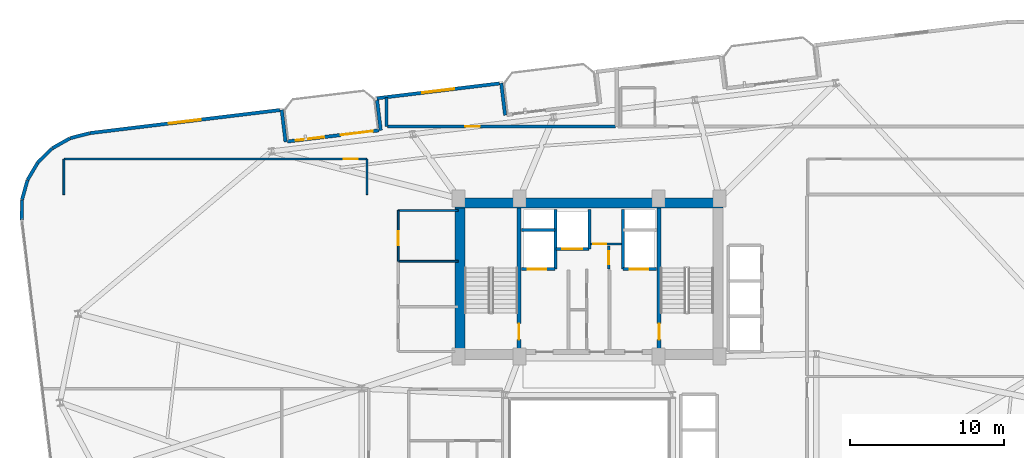
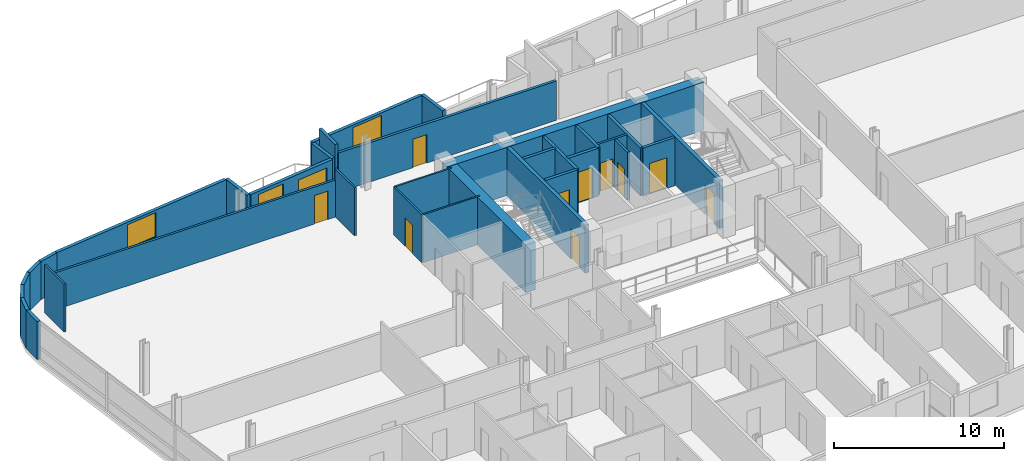
# One storey, part 17 of 23: 33 walls, 11 doors, 3 windows, 14 openings.
"""IFC4 building model written with IfcOpenShell, lengths in metres."""

from ifc_helpers import new_model, si_unit, direction, frame, frame_2d, origin, place, context, subcontext, project, spatial, rectangle, extrude, material, layer, layer_set, type_object, element, fill, save


model = new_model("IFC4")

# Units and contexts
model_context = context("Model", 3, precision=1e-05, world=origin(), true_north=direction((0.0, 1.0)))
body_context = subcontext(model_context, "Body", "Model", "MODEL_VIEW")
ifc_project = project(units=[si_unit("LENGTHUNIT", "METRE"), si_unit("AREAUNIT", "SQUARE_METRE"), si_unit("VOLUMEUNIT", "CUBIC_METRE"), si_unit("PLANEANGLEUNIT", "RADIAN"), si_unit("MASSUNIT", "GRAM", prefix="KILO")], contexts=[model_context])

# Site, building, storey
site_placement = place(None, origin())
site = spatial("IfcSite", under=ifc_project, at=site_placement, CompositionType="ELEMENT")
building_placement = place(site_placement, origin())
building = spatial("IfcBuilding", under=site, at=building_placement, Name="Varnelok Gate Tower", CompositionType="ELEMENT")
storey_placement = place(building_placement, frame((0.0, 0.0, 193.10009765625)))
storey = spatial("IfcBuildingStorey", under=building, at=storey_placement, Name="L49", CompositionType="ELEMENT", Elevation=193.10009765625)

# Wall, openings, door, window
ifc_material_1 = material(Name="Concrete C45/55", Category="concrete")
ifc_layer_1 = layer(ifc_material_1, 0.219970703125)
ifc_layer_set_1 = layer_set([ifc_layer_1], Name="Concrete C45/55")
wall_type_1 = type_object("IfcWallType", Name="EW-BALC-220", PredefinedType="SOLIDWALL", material=ifc_layer_set_1)
wall_1_placement = place(storey_placement, frame((19.556884765625, 42.7529296875, 0.0), z_axis=(0.0, 0.0, 1.0), x_axis=(0.992729951822, 0.120362962556, 0.0)))
wall_1 = element("IfcWall", 1, at=wall_1_placement, inside=storey, type_object=wall_type_1, Name="L49 North Terrace Envelope Wall 4", PredefinedType="SOLIDWALL", context=body_context, shape_type="SweptSolid", body=[
    extrude(rectangle(XDim=6.0, YDim=0.219970703125, at=frame_2d((3.0, 0.0))), origin(), (0.0, 0.0, 1.0), 2.72998046875),
])
opening_1_placement = place(wall_1_placement, frame((3.5, 0.0, 0.0)))
opening_1 = element("IfcOpeningElement", 2, at=opening_1_placement, cuts=wall_1, Name="Opening BD-2", PredefinedType="OPENING", context=body_context, shape_type="SweptSolid", body=[
    extrude(rectangle(XDim=2.10009765625, YDim=2.300048828125, at=frame_2d((1.050048828125, 1.14990234375))), frame((0.0, 0.119873046875, 0.0), z_axis=(0.0, -1.0, 0.0), x_axis=(1.0, 0.0, 0.0)), (0.0, 0.0, 1.0), 0.239990234375),
])
opening_2_placement = place(wall_1_placement, frame((0.550048828125, 0.0, 0.75)))
opening_2 = element("IfcOpeningElement", 3, at=opening_2_placement, cuts=wall_1, Name="Opening WN5", PredefinedType="OPENING", context=body_context, shape_type="SweptSolid", body=[
    extrude(rectangle(XDim=1.85009765625, YDim=1.75, at=frame_2d((0.925048828125, 0.875))), frame((0.0, 0.119873046875, 0.0), z_axis=(0.0, -1.0, 0.0), x_axis=(1.0, 0.0, 0.0)), (0.0, 0.0, 1.0), 0.239990234375),
])
ifc_material_2 = material(Name="Anodized Aluminum Alloy 6063-T6", Category="aluminium")
door_type_1 = type_object("IfcDoorType", Name="DR-EXT-SLID2100", OperationType="SLIDING_TO_LEFT", PredefinedType="DOOR", material=ifc_material_2)
door_1_placement = place(opening_1_placement, origin())
door_1 = element("IfcDoor", 4, at=door_1_placement, inside=storey, type_object=door_type_1, Name="L49 North Balcony Glazed Door 4", OperationType="SLIDING_TO_LEFT", OverallHeight=2.300048828125, OverallWidth=2.10009765625, PredefinedType="DOOR", context=body_context, shape_type="SweptSolid", body=[
    extrude(rectangle(XDim=2.10009765625, YDim=2.300048828125, at=frame_2d((1.050048828125, 1.14990234375))), frame((0.0, 0.02490234375, 0.0), z_axis=(0.0, -1.0, 0.0), x_axis=(1.0, 0.0, 0.0)), (0.0, 0.0, 1.0), 0.050048828125),
])
fill(opening_1, door_1)
ifc_material_3 = material(Name="Low-E Laminated Double Glazing IGU", Category="glass")
window_type_1 = type_object("IfcWindowType", Name="WN-RES-1850", PartitioningType="SINGLE_PANEL", PredefinedType="WINDOW", material=ifc_material_3)
window_1_placement = place(opening_2_placement, origin())
window_1 = element("IfcWindow", 5, at=window_1_placement, inside=storey, type_object=window_type_1, Name="L49 North Vision Window 4.1", OverallHeight=1.75, OverallWidth=1.85009765625, PartitioningType="SINGLE_PANEL", PredefinedType="WINDOW", context=body_context, shape_type="SweptSolid", body=[
    extrude(rectangle(XDim=1.85009765625, YDim=1.75, at=frame_2d((0.925048828125, 0.875))), frame((0.0, 0.030029296875, 0.0), z_axis=(0.0, -1.0, 0.0), x_axis=(1.0, 0.0, 0.0)), (0.0, 0.0, 1.0), 0.06005859375),
])
fill(opening_2, window_1)

# Wall
wall_2_placement = place(storey_placement, frame((33.734375, 44.46142578125, 0.0), z_axis=(0.0, 0.0, 1.0), x_axis=(-0.120327895535, 0.992734202874, 0.0)))
element("IfcWall", 6, at=wall_2_placement, inside=storey, type_object=wall_type_1, Name="L49 Perimeter Facade Closure Wall 34", PredefinedType="SOLIDWALL", context=body_context, shape_type="SweptSolid", body=[
    extrude(rectangle(XDim=2.099853515625, YDim=0.219970703125, at=frame_2d((1.0498046875, 0.0))), origin(), (0.0, 0.0, 1.0), 2.72998046875),
])

# Wall, opening, window
wall_3_placement = place(storey_placement, frame((33.357421875, 46.53125, 0.0), z_axis=(0.0, 0.0, 1.0), x_axis=(-0.992731032022, -0.120354052946, 0.0)))
wall_3 = element("IfcWall", 7, at=wall_3_placement, inside=storey, type_object=wall_type_1, Name="L49 Perimeter Facade Closure Wall 35", PredefinedType="SOLIDWALL", context=body_context, shape_type="SweptSolid", body=[
    extrude(rectangle(XDim=8.034912109375, YDim=0.219970703125, at=frame_2d((4.017578125, 0.0))), origin(), (0.0, 0.0, 1.0), 2.72998046875),
])
opening_3_placement = place(wall_3_placement, frame((2.967529296875, 0.0, 0.800048828125)))
opening_3 = element("IfcOpeningElement", 8, at=opening_3_placement, cuts=wall_3, Name="Opening WN4", PredefinedType="OPENING", context=body_context, shape_type="SweptSolid", body=[
    extrude(rectangle(XDim=2.10009765625, YDim=1.75, at=frame_2d((1.050048828125, 0.875))), frame((0.0, 0.119873046875, 0.0), z_axis=(0.0, -1.0, 0.0), x_axis=(1.0, 0.0, 0.0)), (0.0, 0.0, 1.0), 0.239990234375),
])
window_type_2 = type_object("IfcWindowType", Name="WN-SUI-2100", PartitioningType="SINGLE_PANEL", PredefinedType="WINDOW", material=ifc_material_3)
window_2_placement = place(opening_3_placement, origin())
window_2 = element("IfcWindow", 9, at=window_2_placement, inside=storey, type_object=window_type_2, Name="L49 Perimeter Vision Window 35", OverallHeight=1.75, OverallWidth=2.10009765625, PartitioningType="SINGLE_PANEL", PredefinedType="WINDOW", context=body_context, shape_type="SweptSolid", body=[
    extrude(rectangle(XDim=2.10009765625, YDim=1.75, at=frame_2d((1.050048828125, 0.875))), frame((0.0, 0.030029296875, 0.0), z_axis=(0.0, -1.0, 0.0), x_axis=(1.0, 0.0, 0.0)), (0.0, 0.0, 1.0), 0.06005859375),
])
fill(opening_3, window_2)

# Walls
wall_4_placement = place(storey_placement, frame((25.39599609375, 45.440185546875, 0.0), z_axis=(0.0, 0.0, 1.0), x_axis=(0.120275992932, -0.992740492538, 0.0)))
element("IfcWall", 10, at=wall_4_placement, inside=storey, type_object=wall_type_1, Name="L49 Perimeter Facade Closure Wall 36", PredefinedType="SOLIDWALL", context=body_context, shape_type="SweptSolid", body=[
    extrude(rectangle(XDim=1.97509765625, YDim=0.219970703125, at=frame_2d((0.987548828125, 0.0))), origin(), (0.0, 0.0, 1.0), 2.72998046875),
])
wall_5_placement = place(storey_placement, frame((19.43896484375, 42.728515625, 0.0), z_axis=(0.0, 0.0, 1.0), x_axis=(-0.120327895535, 0.992734202874, 0.0)))
element("IfcWall", 11, at=wall_5_placement, inside=storey, type_object=wall_type_1, Name="L49 Perimeter Facade Closure Wall 37", PredefinedType="SOLIDWALL", context=body_context, shape_type="SweptSolid", body=[
    extrude(rectangle(XDim=2.099853515625, YDim=0.219970703125, at=frame_2d((1.0498046875, 0.0))), origin(), (0.0, 0.0, 1.0), 2.72998046875),
])

# Wall, opening, window
wall_6_placement = place(storey_placement, frame((19.06201171875, 44.798095703125, 0.0), z_axis=(0.0, 0.0, 1.0), x_axis=(-0.992733569027, -0.120333124809, 0.0)))
wall_6 = element("IfcWall", 12, at=wall_6_placement, inside=storey, type_object=wall_type_1, Name="L49 Perimeter Facade Closure Wall 38", PredefinedType="SOLIDWALL", context=body_context, shape_type="SweptSolid", body=[
    extrude(rectangle(XDim=12.447021484375, YDim=0.219970703125, at=frame_2d((6.2236328125, 0.0))), origin(), (0.0, 0.0, 1.0), 2.72998046875),
])
opening_4_placement = place(wall_6_placement, frame((5.173583984375, 0.0, 0.800048828125)))
opening_4 = element("IfcOpeningElement", 13, at=opening_4_placement, cuts=wall_6, Name="Opening WN4", PredefinedType="OPENING", context=body_context, shape_type="SweptSolid", body=[
    extrude(rectangle(XDim=2.10009765625, YDim=1.75, at=frame_2d((1.050048828125, 0.875))), frame((0.0, 0.119873046875, 0.0), z_axis=(0.0, -1.0, 0.0), x_axis=(1.0, 0.0, 0.0)), (0.0, 0.0, 1.0), 0.239990234375),
])
window_3_placement = place(opening_4_placement, origin())
window_3 = element("IfcWindow", 14, at=window_3_placement, inside=storey, type_object=window_type_2, Name="L49 Perimeter Vision Window 38", OverallHeight=1.75, OverallWidth=2.10009765625, PartitioningType="SINGLE_PANEL", PredefinedType="WINDOW", context=body_context, shape_type="SweptSolid", body=[
    extrude(rectangle(XDim=2.10009765625, YDim=1.75, at=frame_2d((1.050048828125, 0.875))), frame((0.0, 0.030029296875, 0.0), z_axis=(0.0, -1.0, 0.0), x_axis=(1.0, 0.0, 0.0)), (0.0, 0.0, 1.0), 0.06005859375),
])
fill(opening_4, window_3)

# Walls
wall_7_placement = place(storey_placement, frame((6.68115234375, 43.294189453125, 0.0), z_axis=(0.0, 0.0, 1.0), x_axis=(-0.968496788899, -0.2490260426, 0.0)))
element("IfcWall", 15, at=wall_7_placement, inside=storey, type_object=wall_type_1, Name="L49 Perimeter Facade Closure Wall 39", PredefinedType="SOLIDWALL", context=body_context, shape_type="SweptSolid", body=[
    extrude(rectangle(XDim=1.308837890625, YDim=0.219970703125, at=frame_2d((0.654296875, 0.0))), origin(), (0.0, 0.0, 1.0), 2.72998046875),
])
for number, where, z_axis, x_axis, name in (
    (16, (5.391845703125, 42.9560546875, 0.0), (0.0, 0.0, 1.0), (-0.87105877335, -0.491178799797, 0.0), "L49 Perimeter Facade Closure Wall 40"),
    (17, (4.24072265625, 42.299560546875, 0.0), (0.0, 0.0, 1.0), (-0.714389219205, -0.699748557329, 0.0), "L49 Perimeter Facade Closure Wall 41"),
):
    element("IfcWall", number, at=place(storey_placement, frame(where, z_axis=z_axis, x_axis=x_axis)), inside=storey, type_object=wall_type_1, Name=name, PredefinedType="SOLIDWALL", context=body_context, shape_type="SweptSolid", body=[
        extrude(rectangle(XDim=1.30078125, YDim=0.219970703125, at=frame_2d((0.650390625, 0.0))), origin(), (0.0, 0.0, 1.0), 2.72998046875),
    ])
wall_8_placement = place(storey_placement, frame((3.298583984375, 41.367919921875, 0.0), z_axis=(0.0, 0.0, 1.0), x_axis=(-0.508716668029, -0.860933999601, 0.0)))
element("IfcWall", 18, at=wall_8_placement, inside=storey, type_object=wall_type_1, Name="L49 Perimeter Facade Closure Wall 42", PredefinedType="SOLIDWALL", context=body_context, shape_type="SweptSolid", body=[
    extrude(rectangle(XDim=1.301025390625, YDim=0.219970703125, at=frame_2d((0.650390625, 0.0))), origin(), (0.0, 0.0, 1.0), 2.72998046875),
])
for number, where, z_axis, x_axis, name in (
    (19, (2.630126953125, 40.223876953125, 0.0), (0.0, 0.0, 1.0), (-0.26876657226, -0.963205341366, 0.0), "L49 Perimeter Facade Closure Wall 43"),
    (20, (2.2802734375, 38.94580078125, 0.0), (0.0, 0.0, 1.0), (-0.01013461463, -0.999948643474, 0.0), "L49 Perimeter Facade Closure Wall 44"),
):
    element("IfcWall", number, at=place(storey_placement, frame(where, z_axis=z_axis, x_axis=x_axis)), inside=storey, type_object=wall_type_1, Name=name, PredefinedType="SOLIDWALL", context=body_context, shape_type="SweptSolid", body=[
        extrude(rectangle(XDim=1.30078125, YDim=0.219970703125, at=frame_2d((0.650390625, 0.0))), origin(), (0.0, 0.0, 1.0), 2.72998046875),
    ])

# Wall, opening, door
ifc_material_4 = material(Name="Gypsum Plasterboard Acoustic Partition", Category="gypsum")
ifc_layer_2 = layer(ifc_material_4, 0.179931640625)
ifc_layer_set_2 = layer_set([ifc_layer_2], Name="Gypsum Plasterboard Acoustic Partition")
wall_type_2 = type_object("IfcWallType", Name="PW-CORR-180", PredefinedType="PARTITIONING", material=ifc_layer_set_2)
wall_9_placement = place(storey_placement, frame((26.080078125, 43.72998046875, 0.0), z_axis=(0.0, 0.0, 1.0), x_axis=(1.0, 0.0, 0.0)))
wall_9 = element("IfcWall", 21, at=wall_9_placement, inside=storey, type_object=wall_type_2, Name="Interior Partition", PredefinedType="PARTITIONING", context=body_context, shape_type="SweptSolid", body=[
    extrude(rectangle(XDim=14.83984375, YDim=0.179931640625, at=frame_2d((7.419921875, 0.0))), origin(), (0.0, 0.0, 1.0), 2.823974609375),
])
opening_5_placement = place(wall_9_placement, frame((5.06201171875, 0.0, 0.0)))
opening_5 = element("IfcOpeningElement", 22, at=opening_5_placement, cuts=wall_9, Name="Opening D-I2", PredefinedType="OPENING", context=body_context, shape_type="SweptSolid", body=[
    extrude(rectangle(XDim=0.949951171875, YDim=2.050048828125, at=frame_2d((0.47509765625, 1.02490234375))), frame((0.0, 0.099853515625, 0.0), z_axis=(0.0, -1.0, 0.0), x_axis=(1.0, 0.0, 0.0)), (0.0, 0.0, 1.0), 0.199951171875),
])
ifc_material_5 = material(Name="Engineered Hardwood Timber", Category="wood")
door_type_2 = type_object("IfcDoorType", Name="DR-INT-950", OperationType="NOTDEFINED", PredefinedType="DOOR", material=ifc_material_5)
door_2_placement = place(opening_5_placement, origin())
door_2 = element("IfcDoor", 23, at=door_2_placement, inside=storey, type_object=door_type_2, Name="L49 Children Playroom Door", OperationType="SINGLE_SWING_LEFT", OverallHeight=2.050048828125, OverallWidth=0.949951171875, PredefinedType="DOOR", context=body_context, shape_type="SweptSolid", body=[
    extrude(rectangle(XDim=0.949951171875, YDim=2.050048828125, at=frame_2d((0.47509765625, 1.02490234375))), frame((0.0, 0.02490234375, 0.0), z_axis=(0.0, -1.0, 0.0), x_axis=(1.0, 0.0, 0.0)), (0.0, 0.0, 1.0), 0.050048828125),
])
fill(opening_5, door_2)

# Walls
ifc_layer_3 = layer(ifc_material_4, 0.114990234375)
ifc_layer_set_3 = layer_set([ifc_layer_3], Name="Gypsum Plasterboard Acoustic Partition")
wall_type_3 = type_object("IfcWallType", Name="PW-ENS-125", PredefinedType="PARTITIONING", material=ifc_layer_set_3)
wall_10_placement = place(storey_placement, frame((26.800048828125, 34.949951171875, 0.0), z_axis=(0.0, 0.0, 1.0), x_axis=(1.0, 0.0, 0.0)))
element("IfcWall", 24, at=wall_10_placement, inside=storey, type_object=wall_type_3, Name="Interior Partition", PredefinedType="PARTITIONING", context=body_context, shape_type="SweptSolid", body=[
    extrude(rectangle(XDim=3.8798828125, YDim=0.114990234375, at=frame_2d((1.93994140625, 0.0))), origin(), (0.0, 0.0, 1.0), 3.449951171875),
])
wall_11_placement = place(storey_placement, frame((26.780029296875, 38.260009765625, 0.0), z_axis=(0.0, 0.0, 1.0), x_axis=(1.0, 0.0, 0.0)))
element("IfcWall", 25, at=wall_11_placement, inside=storey, type_object=wall_type_3, Name="Interior Partition", PredefinedType="PARTITIONING", context=body_context, shape_type="SweptSolid", body=[
    extrude(rectangle(XDim=3.89990234375, YDim=0.114990234375, at=frame_2d((1.949951171875, 0.0))), origin(), (0.0, 0.0, 1.0), 3.449951171875),
])

# Wall, opening, door
wall_12_placement = place(storey_placement, frame((26.780029296875, 34.949951171875, 0.0), z_axis=(0.0, 0.0, 1.0), x_axis=(0.0, 1.0, 0.0)))
wall_12 = element("IfcWall", 26, at=wall_12_placement, inside=storey, type_object=wall_type_3, Name="Interior Partition", PredefinedType="PARTITIONING", context=body_context, shape_type="SweptSolid", body=[
    extrude(rectangle(XDim=3.31005859375, YDim=0.114990234375, at=frame_2d((1.655029296875, 0.0))), origin(), (0.0, 0.0, 1.0), 3.449951171875),
])
opening_6_placement = place(wall_12_placement, frame((1.050048828125, 0.0, 0.0)))
opening_6 = element("IfcOpeningElement", 27, at=opening_6_placement, cuts=wall_12, Name="Opening D-WC", PredefinedType="OPENING", context=body_context, shape_type="SweptSolid", body=[
    extrude(rectangle(XDim=0.89990234375, YDim=2.050048828125, at=frame_2d((0.449951171875, 1.02490234375))), frame((0.0, 0.0673828125, 0.0), z_axis=(0.0, -1.0, 0.0), x_axis=(1.0, 0.0, 0.0)), (0.0, 0.0, 1.0), 0.135009765625),
])
door_type_3 = type_object("IfcDoorType", Name="DR-BATH-900", OperationType="NOTDEFINED", PredefinedType="DOOR", material=ifc_material_5)
door_3_placement = place(opening_6_placement, origin())
door_3 = element("IfcDoor", 28, at=door_3_placement, inside=storey, type_object=door_type_3, Name="L49 Core Staff WC Door", OperationType="SINGLE_SWING_LEFT", OverallHeight=2.050048828125, OverallWidth=0.89990234375, PredefinedType="DOOR", context=body_context, shape_type="SweptSolid", body=[
    extrude(rectangle(XDim=0.89990234375, YDim=2.050048828125, at=frame_2d((0.449951171875, 1.02490234375))), frame((0.0, 0.02490234375, 0.0), z_axis=(0.0, -1.0, 0.0), x_axis=(1.0, 0.0, 0.0)), (0.0, 0.0, 1.0), 0.050048828125),
])
fill(opening_6, door_3)

# Walls
ifc_layer_4 = layer(ifc_material_4, 0.125)
ifc_layer_set_4 = layer_set([ifc_layer_4], Name="Gypsum Plasterboard Acoustic Partition")
wall_type_4 = type_object("IfcWallType", Name="PW-PART-125", PredefinedType="PARTITIONING", material=ifc_layer_set_4)
for number, where, z_axis, x_axis, name in (
    (29, (5.0, 39.300048828125, 0.0), (0.0, 0.0, 1.0), (0.0, 1.0, 0.0), "Interior Partition"),
    (30, (24.739990234375, 39.300048828125, 0.0), (0.0, 0.0, 1.0), (0.0, 1.0, 0.0), "Interior Partition"),
):
    element("IfcWall", number, at=place(storey_placement, frame(where, z_axis=z_axis, x_axis=x_axis)), inside=storey, type_object=wall_type_4, Name=name, PredefinedType="PARTITIONING", context=body_context, shape_type="SweptSolid", body=[
        extrude(rectangle(XDim=2.31005859375, YDim=0.125, at=frame_2d((1.155029296875, 0.0))), origin(), (0.0, 0.0, 1.0), 3.449951171875),
    ])

# Wall, opening, door
ifc_layer_5 = layer(ifc_material_4, 0.14990234375)
ifc_layer_set_5 = layer_set([ifc_layer_5], Name="Gypsum Plasterboard Acoustic Partition")
wall_type_5 = type_object("IfcWallType", Name="PW-PART-150", PredefinedType="PARTITIONING", material=ifc_layer_set_5)
wall_13_placement = place(storey_placement, frame((5.0, 41.610107421875, 0.0), z_axis=(0.0, 0.0, 1.0), x_axis=(1.0, 0.0, 0.0)))
wall_13 = element("IfcWall", 31, at=wall_13_placement, inside=storey, type_object=wall_type_5, Name="Interior Partition", PredefinedType="PARTITIONING", context=body_context, shape_type="SweptSolid", body=[
    extrude(rectangle(XDim=19.739990234375, YDim=0.14990234375, at=frame_2d((9.8701171875, 0.0))), origin(), (0.0, 0.0, 1.0), 2.661865234375),
])
opening_7_placement = place(wall_13_placement, frame((18.233642578125, 0.0, 0.0)))
opening_7 = element("IfcOpeningElement", 32, at=opening_7_placement, cuts=wall_13, Name="Opening D-I3", PredefinedType="OPENING", context=body_context, shape_type="SweptSolid", body=[
    extrude(rectangle(XDim=0.919921875, YDim=2.050048828125, at=frame_2d((0.4599609375, 1.02490234375))), frame((0.0, 0.0849609375, 0.0), z_axis=(0.0, -1.0, 0.0), x_axis=(1.0, 0.0, 0.0)), (0.0, 0.0, 1.0), 0.169921875),
])
door_type_4 = type_object("IfcDoorType", Name="DR-INT-920", OperationType="NOTDEFINED", PredefinedType="DOOR", material=ifc_material_5)
door_4_placement = place(opening_7_placement, origin())
door_4 = element("IfcDoor", 33, at=door_4_placement, inside=storey, type_object=door_type_4, Name="L49 North Study 1 Door", OperationType="SINGLE_SWING_RIGHT", OverallHeight=2.050048828125, OverallWidth=0.919921875, PredefinedType="DOOR", context=body_context, shape_type="SweptSolid", body=[
    extrude(rectangle(XDim=0.919921875, YDim=2.050048828125, at=frame_2d((0.4599609375, 1.02490234375))), frame((0.0, 0.02490234375, 0.0), z_axis=(0.0, -1.0, 0.0), x_axis=(1.0, 0.0, 0.0)), (0.0, 0.0, 1.0), 0.050048828125),
])
fill(opening_7, door_4)

wall_14_placement = place(storey_placement, frame((39.300048828125, 36.080078125, 0.0), z_axis=(0.0, 0.0, 1.0), x_axis=(1.0, 0.0, 0.0)))
wall_14 = element("IfcWall", 34, at=wall_14_placement, inside=storey, type_object=wall_type_5, Name="L49 Electrical Closet South Wall", PredefinedType="PARTITIONING", context=body_context, shape_type="SweptSolid", body=[
    extrude(rectangle(XDim=2.02001953125, YDim=0.14990234375, at=frame_2d((1.010009765625, 0.0))), origin(), (0.0, 0.0, 1.0), 3.449951171875),
])
opening_8_placement = place(wall_14_placement, frame((0.179931640625, 0.0, 0.0)))
opening_8 = element("IfcOpeningElement", 35, at=opening_8_placement, cuts=wall_14, Name="Opening D-RS", PredefinedType="OPENING", context=body_context, shape_type="SweptSolid", body=[
    extrude(rectangle(XDim=0.85009765625, YDim=2.050048828125, at=frame_2d((0.425048828125, 1.02490234375))), frame((0.0, 0.0849609375, 0.0), z_axis=(0.0, -1.0, 0.0), x_axis=(1.0, 0.0, 0.0)), (0.0, 0.0, 1.0), 0.169921875),
])
ifc_material_6 = material(Name="Galvanized Steel Grade S350GD", Category="steel")
door_type_5 = type_object("IfcDoorType", Name="DR-RISER-850", OperationType="NOTDEFINED", PredefinedType="DOOR", material=ifc_material_6)
door_5_placement = place(opening_8_placement, origin())
door_5 = element("IfcDoor", 36, at=door_5_placement, inside=storey, type_object=door_type_5, Name="L49 Electrical Closet Door", OperationType="SINGLE_SWING_RIGHT", OverallHeight=2.050048828125, OverallWidth=0.85009765625, PredefinedType="DOOR", context=body_context, shape_type="SweptSolid", body=[
    extrude(rectangle(XDim=0.85009765625, YDim=2.050048828125, at=frame_2d((0.425048828125, 1.02490234375))), frame((0.0, 0.02490234375, 0.0), z_axis=(0.0, -1.0, 0.0), x_axis=(1.0, 0.0, 0.0)), (0.0, 0.0, 1.0), 0.050048828125),
])
fill(opening_8, door_5)

wall_15_placement = place(storey_placement, frame((40.47998046875, 34.43994140625, 0.0), z_axis=(0.0, 0.0, 1.0), x_axis=(0.0, 1.0, 0.0)))
wall_15 = element("IfcWall", 37, at=wall_15_placement, inside=storey, type_object=wall_type_5, Name="L49 Telecoms Closet West Wall", PredefinedType="PARTITIONING", context=body_context, shape_type="SweptSolid", body=[
    extrude(rectangle(XDim=1.52001953125, YDim=0.14990234375, at=frame_2d((0.760009765625, 0.0))), origin(), (0.0, 0.0, 1.0), 3.449951171875),
])
opening_9_placement = place(wall_15_placement, frame((0.320068359375, 0.0, 0.0)))
opening_9 = element("IfcOpeningElement", 38, at=opening_9_placement, cuts=wall_15, Name="Opening D-RS", PredefinedType="OPENING", context=body_context, shape_type="SweptSolid", body=[
    extrude(rectangle(XDim=0.85009765625, YDim=2.050048828125, at=frame_2d((0.425048828125, 1.02490234375))), frame((0.0, 0.0849609375, 0.0), z_axis=(0.0, -1.0, 0.0), x_axis=(1.0, 0.0, 0.0)), (0.0, 0.0, 1.0), 0.169921875),
])
door_6_placement = place(opening_9_placement, origin())
door_6 = element("IfcDoor", 39, at=door_6_placement, inside=storey, type_object=door_type_5, Name="L49 Telecoms Closet Door", OperationType="SINGLE_SWING_LEFT", OverallHeight=2.050048828125, OverallWidth=0.85009765625, PredefinedType="DOOR", context=body_context, shape_type="SweptSolid", body=[
    extrude(rectangle(XDim=0.85009765625, YDim=2.050048828125, at=frame_2d((0.425048828125, 1.02490234375))), frame((0.0, 0.02490234375, 0.0), z_axis=(0.0, -1.0, 0.0), x_axis=(1.0, 0.0, 0.0)), (0.0, 0.0, 1.0), 0.050048828125),
])
fill(opening_9, door_6)

# Wall
ifc_layer_6 = layer(ifc_material_4, 0.205078125)
ifc_layer_set_6 = layer_set([ifc_layer_6], Name="Gypsum Plasterboard Acoustic Partition")
wall_type_6 = type_object("IfcWallType", Name="PW-PARTY-200", PredefinedType="PARTITIONING", material=ifc_layer_set_6)
wall_16_placement = place(storey_placement, frame((26.0, 43.72998046875, 0.0), z_axis=(0.0, 0.0, 1.0), x_axis=(0.0, 1.0, 0.0)))
element("IfcWall", 40, at=wall_16_placement, inside=storey, type_object=wall_type_6, Name="L49 North Party Wall 1", PredefinedType="PARTITIONING", context=body_context, shape_type="SweptSolid", body=[
    extrude(rectangle(XDim=1.88916015625, YDim=0.205078125, at=frame_2d((0.944580078125, 0.0))), origin(), (0.0, 0.0, 1.0), 3.449951171875),
])

# Wall, opening, door
ifc_material_7 = material(Name="Concrete C35/45", Category="concrete")
ifc_layer_7 = layer(ifc_material_7, 0.199951171875)
ifc_layer_set_7 = layer_set([ifc_layer_7], Name="Concrete C35/45")
wall_type_7 = type_object("IfcWallType", Name="PW-SHAFT-200", PredefinedType="PARTITIONING", material=ifc_layer_set_7)
wall_17_placement = place(storey_placement, frame((34.800048828125, 34.43994140625, 0.0), z_axis=(0.0, 0.0, 1.0), x_axis=(1.0, 0.0, 0.0)))
wall_17 = element("IfcWall", 41, at=wall_17_placement, inside=storey, type_object=wall_type_7, Name="L49 FF1 Shaft Front Wall", PredefinedType="PARTITIONING", context=body_context, shape_type="SweptSolid", body=[
    extrude(rectangle(XDim=2.179931640625, YDim=0.199951171875, at=frame_2d((1.08984375, 0.0))), origin(), (0.0, 0.0, 1.0), 3.449951171875),
])
opening_10_placement = place(wall_17_placement, frame((0.419921875, 0.0, 0.0)))
opening_10 = element("IfcOpeningElement", 42, at=opening_10_placement, cuts=wall_17, Name="Opening LD-FF1", PredefinedType="OPENING", context=body_context, shape_type="SweptSolid", body=[
    extrude(rectangle(XDim=1.199951171875, YDim=2.199951171875, at=frame_2d((0.60009765625, 1.10009765625))), frame((0.0, 0.10986328125, 0.0), z_axis=(0.0, -1.0, 0.0), x_axis=(1.0, 0.0, 0.0)), (0.0, 0.0, 1.0), 0.219970703125),
])
door_type_6 = type_object("IfcDoorType", Name="DR-LIFT-FF1200", OperationType="SLIDING_TO_LEFT", PredefinedType="DOOR", material=ifc_material_6)
door_7_placement = place(opening_10_placement, origin())
door_7 = element("IfcDoor", 43, at=door_7_placement, inside=storey, type_object=door_type_6, Name="L49 Firefighting Lift Landing Door LD-FF1", OperationType="SLIDING_TO_LEFT", OverallHeight=2.199951171875, OverallWidth=1.199951171875, PredefinedType="DOOR", context=body_context, shape_type="SweptSolid", body=[
    extrude(rectangle(XDim=1.199951171875, YDim=2.199951171875, at=frame_2d((0.60009765625, 1.10009765625))), frame((0.0, 0.02490234375, 0.0), z_axis=(0.0, -1.0, 0.0), x_axis=(1.0, 0.0, 0.0)), (0.0, 0.0, 1.0), 0.050048828125),
])
fill(opening_10, door_7)

# Walls
wall_18_placement = place(storey_placement, frame((34.800048828125, 36.97998046875, 0.0), z_axis=(0.0, 0.0, 1.0), x_axis=(1.0, 0.0, 0.0)))
element("IfcWall", 44, at=wall_18_placement, inside=storey, type_object=wall_type_7, Name="L49 FF1 Shaft North Wall", PredefinedType="PARTITIONING", context=body_context, shape_type="SweptSolid", body=[
    extrude(rectangle(XDim=2.179931640625, YDim=0.199951171875, at=frame_2d((1.08984375, 0.0))), origin(), (0.0, 0.0, 1.0), 3.449951171875),
])
wall_19_placement = place(storey_placement, frame((37.0, 34.43994140625, 0.0), z_axis=(0.0, 0.0, 1.0), x_axis=(0.0, 1.0, 0.0)))
element("IfcWall", 45, at=wall_19_placement, inside=storey, type_object=wall_type_7, Name="L49 FF1 Shaft Side Wall", PredefinedType="PARTITIONING", context=body_context, shape_type="SweptSolid", body=[
    extrude(rectangle(XDim=3.900146484375, YDim=0.199951171875, at=frame_2d((1.9501953125, 0.0))), origin(), (0.0, 0.0, 1.0), 3.449951171875),
])

# Wall, opening, door
wall_20_placement = place(storey_placement, frame((41.419921875, 34.43994140625, 0.0), z_axis=(0.0, 0.0, 1.0), x_axis=(1.0, 0.0, 0.0)))
wall_20 = element("IfcWall", 46, at=wall_20_placement, inside=storey, type_object=wall_type_7, Name="L49 FF2 Shaft Front Wall", PredefinedType="PARTITIONING", context=body_context, shape_type="SweptSolid", body=[
    extrude(rectangle(XDim=2.18017578125, YDim=0.199951171875, at=frame_2d((1.090087890625, 0.0))), origin(), (0.0, 0.0, 1.0), 3.449951171875),
])
opening_11_placement = place(wall_20_placement, frame((0.419921875, 0.0, 0.0)))
opening_11 = element("IfcOpeningElement", 47, at=opening_11_placement, cuts=wall_20, Name="Opening LD-FF2", PredefinedType="OPENING", context=body_context, shape_type="SweptSolid", body=[
    extrude(rectangle(XDim=1.199951171875, YDim=2.199951171875, at=frame_2d((0.60009765625, 1.10009765625))), frame((0.0, 0.10986328125, 0.0), z_axis=(0.0, -1.0, 0.0), x_axis=(1.0, 0.0, 0.0)), (0.0, 0.0, 1.0), 0.219970703125),
])
door_8_placement = place(opening_11_placement, origin())
door_8 = element("IfcDoor", 48, at=door_8_placement, inside=storey, type_object=door_type_6, Name="L49 Firefighting Lift Landing Door LD-FF2", OperationType="SLIDING_TO_LEFT", OverallHeight=2.199951171875, OverallWidth=1.199951171875, PredefinedType="DOOR", context=body_context, shape_type="SweptSolid", body=[
    extrude(rectangle(XDim=1.199951171875, YDim=2.199951171875, at=frame_2d((0.60009765625, 1.10009765625))), frame((0.0, 0.02490234375, 0.0), z_axis=(0.0, -1.0, 0.0), x_axis=(1.0, 0.0, 0.0)), (0.0, 0.0, 1.0), 0.050048828125),
])
fill(opening_11, door_8)

# Wall
wall_21_placement = place(storey_placement, frame((41.39990234375, 34.43994140625, 0.0), z_axis=(0.0, 0.0, 1.0), x_axis=(0.0, 1.0, 0.0)))
element("IfcWall", 49, at=wall_21_placement, inside=storey, type_object=wall_type_7, Name="L49 FF2 Shaft Side Wall", PredefinedType="PARTITIONING", context=body_context, shape_type="SweptSolid", body=[
    extrude(rectangle(XDim=3.900146484375, YDim=0.199951171875, at=frame_2d((1.9501953125, 0.0))), origin(), (0.0, 0.0, 1.0), 3.449951171875),
])

# Wall, opening, door
wall_22_placement = place(storey_placement, frame((37.06005859375, 35.75, 0.0), z_axis=(0.0, 0.0, 1.0), x_axis=(1.0, 0.0, 0.0)))
wall_22 = element("IfcWall", 50, at=wall_22_placement, inside=storey, type_object=wall_type_7, Name="L49 SV1 Shaft Front Wall", PredefinedType="PARTITIONING", context=body_context, shape_type="SweptSolid", body=[
    extrude(rectangle(XDim=2.119873046875, YDim=0.199951171875, at=frame_2d((1.06005859375, 0.0))), origin(), (0.0, 0.0, 1.0), 3.449951171875),
])
opening_12_placement = place(wall_22_placement, frame((0.39990234375, 0.0, 0.0)))
opening_12 = element("IfcOpeningElement", 51, at=opening_12_placement, cuts=wall_22, Name="Opening LD-SV1", PredefinedType="OPENING", context=body_context, shape_type="SweptSolid", body=[
    extrude(rectangle(XDim=1.300048828125, YDim=2.199951171875, at=frame_2d((0.64990234375, 1.10009765625))), frame((0.0, 0.10986328125, 0.0), z_axis=(0.0, -1.0, 0.0), x_axis=(1.0, 0.0, 0.0)), (0.0, 0.0, 1.0), 0.219970703125),
])
door_type_7 = type_object("IfcDoorType", Name="DR-LIFT-SV1300", OperationType="SLIDING_TO_LEFT", PredefinedType="DOOR", material=ifc_material_6)
door_9_placement = place(opening_12_placement, origin())
door_9 = element("IfcDoor", 52, at=door_9_placement, inside=storey, type_object=door_type_7, Name="L49 Service Lift Landing Door LD-SV1", OperationType="SLIDING_TO_LEFT", OverallHeight=2.199951171875, OverallWidth=1.300048828125, PredefinedType="DOOR", context=body_context, shape_type="SweptSolid", body=[
    extrude(rectangle(XDim=1.300048828125, YDim=2.199951171875, at=frame_2d((0.64990234375, 1.10009765625))), frame((0.0, 0.02490234375, 0.0), z_axis=(0.0, -1.0, 0.0), x_axis=(1.0, 0.0, 0.0)), (0.0, 0.0, 1.0), 0.050048828125),
])
fill(opening_12, door_9)

# Walls
wall_23_placement = place(storey_placement, frame((39.219970703125, 35.75, 0.0), z_axis=(0.0, 0.0, 1.0), x_axis=(0.0, 1.0, 0.0)))
element("IfcWall", 53, at=wall_23_placement, inside=storey, type_object=wall_type_7, Name="L49 SV1 Shaft East Wall", PredefinedType="PARTITIONING", context=body_context, shape_type="SweptSolid", body=[
    extrude(rectangle(XDim=2.590087890625, YDim=0.199951171875, at=frame_2d((1.294921875, 0.0))), origin(), (0.0, 0.0, 1.0), 3.449951171875),
])
ifc_material_8 = material(Name="Concrete C60/75", Category="concrete")
ifc_layer_8 = layer(ifc_material_8, 0.64990234375)
ifc_layer_set_8 = layer_set([ifc_layer_8], Name="Concrete C60/75")
wall_type_8 = type_object("IfcWallType", Name="SW-CORE-650", PredefinedType="SHEAR", material=ifc_layer_set_8)
wall_24_placement = place(storey_placement, frame((30.47998046875, 38.7451171875, 0.0), z_axis=(0.0, 0.0, 1.0), x_axis=(1.0, 0.0, 0.0)))
element("IfcWall", 54, at=wall_24_placement, inside=storey, type_object=wall_type_8, Name="L49 Rear Core North Shear Wall", PredefinedType="SHEAR", context=body_context, shape_type="SweptSolid", body=[
    extrude(rectangle(XDim=17.43994140625, YDim=0.64990234375, at=frame_2d((8.719970703125, 0.0))), origin(), (0.0, 0.0, 1.0), 3.449951171875),
])
wall_25_placement = place(storey_placement, frame((30.804931640625, 29.199951171875, 0.0), z_axis=(0.0, 0.0, 1.0), x_axis=(0.0, 1.0, 0.0)))
element("IfcWall", 55, at=wall_25_placement, inside=storey, type_object=wall_type_8, Name="L49 Rear Core West Shear Wall", PredefinedType="SHEAR", context=body_context, shape_type="SweptSolid", body=[
    extrude(rectangle(XDim=9.219970703125, YDim=0.64990234375, at=frame_2d((4.60986328125, 0.0))), origin(), (0.0, 0.0, 1.0), 3.449951171875),
])

# Wall, opening, door
ifc_layer_9 = layer(ifc_material_8, 0.25)
ifc_layer_set_9 = layer_set([ifc_layer_9], Name="Concrete C60/75")
wall_type_9 = type_object("IfcWallType", Name="SW-SHAFT-250", PredefinedType="SHEAR", material=ifc_layer_set_9)
wall_26_placement = place(storey_placement, frame((34.639892578125, 29.199951171875, 0.0), z_axis=(0.0, 0.0, 1.0), x_axis=(0.0, 1.0, 0.0)))
wall_26 = element("IfcWall", 56, at=wall_26_placement, inside=storey, type_object=wall_type_9, Name="L49 Stair ST-1 East Shear Wall", PredefinedType="SHEAR", context=body_context, shape_type="SweptSolid", body=[
    extrude(rectangle(XDim=9.219970703125, YDim=0.25, at=frame_2d((4.60986328125, 0.0))), origin(), (0.0, 0.0, 1.0), 3.449951171875),
])
opening_13_placement = place(wall_26_placement, frame((0.64990234375, 0.0, 0.0)))
opening_13 = element("IfcOpeningElement", 57, at=opening_13_placement, cuts=wall_26, Name="Opening D-ST", PredefinedType="OPENING", context=body_context, shape_type="SweptSolid", body=[
    extrude(rectangle(XDim=1.050048828125, YDim=2.14990234375, at=frame_2d((0.52490234375, 1.074951171875))), frame((0.0, 0.135009765625, 0.0), z_axis=(0.0, -1.0, 0.0), x_axis=(1.0, 0.0, 0.0)), (0.0, 0.0, 1.0), 0.27001953125),
])
door_type_8 = type_object("IfcDoorType", Name="DR-STAIR-1050", OperationType="NOTDEFINED", PredefinedType="DOOR", material=ifc_material_6)
door_10_placement = place(opening_13_placement, origin())
door_10 = element("IfcDoor", 58, at=door_10_placement, inside=storey, type_object=door_type_8, Name="L49 Exit Stair ST-1 Fire Door", OperationType="SINGLE_SWING_LEFT", OverallHeight=2.14990234375, OverallWidth=1.050048828125, PredefinedType="DOOR", context=body_context, shape_type="SweptSolid", body=[
    extrude(rectangle(XDim=1.050048828125, YDim=2.14990234375, at=frame_2d((0.52490234375, 1.074951171875))), frame((0.0, 0.02490234375, 0.0), z_axis=(0.0, -1.0, 0.0), x_axis=(1.0, 0.0, 0.0)), (0.0, 0.0, 1.0), 0.050048828125),
])
fill(opening_13, door_10)

wall_27_placement = place(storey_placement, frame((43.760009765625, 29.199951171875, 0.0), z_axis=(0.0, 0.0, 1.0), x_axis=(0.0, 1.0, 0.0)))
wall_27 = element("IfcWall", 59, at=wall_27_placement, inside=storey, type_object=wall_type_9, Name="L49 Stair ST-2 West Shear Wall", PredefinedType="SHEAR", context=body_context, shape_type="SweptSolid", body=[
    extrude(rectangle(XDim=9.219970703125, YDim=0.25, at=frame_2d((4.60986328125, 0.0))), origin(), (0.0, 0.0, 1.0), 3.449951171875),
])
opening_14_placement = place(wall_27_placement, frame((0.64990234375, 0.0, 0.0)))
opening_14 = element("IfcOpeningElement", 60, at=opening_14_placement, cuts=wall_27, Name="Opening D-ST", PredefinedType="OPENING", context=body_context, shape_type="SweptSolid", body=[
    extrude(rectangle(XDim=1.050048828125, YDim=2.14990234375, at=frame_2d((0.52490234375, 1.074951171875))), frame((0.0, 0.135009765625, 0.0), z_axis=(0.0, -1.0, 0.0), x_axis=(1.0, 0.0, 0.0)), (0.0, 0.0, 1.0), 0.27001953125),
])
door_11_placement = place(opening_14_placement, origin())
door_11 = element("IfcDoor", 61, at=door_11_placement, inside=storey, type_object=door_type_8, Name="L49 Exit Stair ST-2 Fire Door", OperationType="SINGLE_SWING_RIGHT", OverallHeight=2.14990234375, OverallWidth=1.050048828125, PredefinedType="DOOR", context=body_context, shape_type="SweptSolid", body=[
    extrude(rectangle(XDim=1.050048828125, YDim=2.14990234375, at=frame_2d((0.52490234375, 1.074951171875))), frame((0.0, 0.02490234375, 0.0), z_axis=(0.0, -1.0, 0.0), x_axis=(1.0, 0.0, 0.0)), (0.0, 0.0, 1.0), 0.050048828125),
])
fill(opening_14, door_11)

save(model, "model.ifc")
